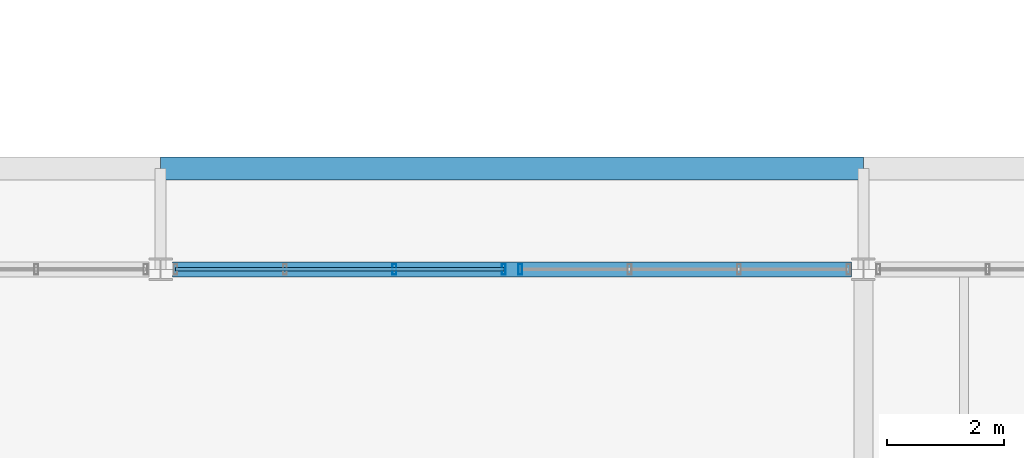
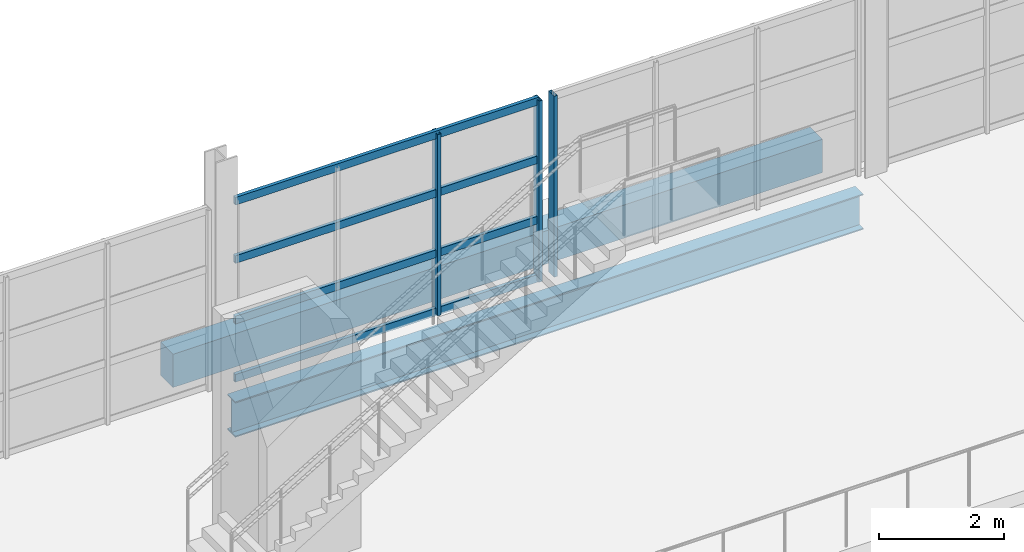
# One storey, part 43 of 114: 7 members, 2 beams, 2 elements without a shape of their own.
"""IFC4 building model written with IfcOpenShell, lengths in metres."""

import ifcopenshell
import ifcopenshell.guid

model = None  # the IFC model being written
_history = None  # IfcOwnerHistory: only IFC2X3 demands one
_inside = {}  # id of a spatial element -> (the spatial element, [elements in it])
_under = {}  # id of a project, library or spatial element -> (it, [spatial elements below it])
_declared = {}  # id of a project -> (the project, [libraries it declares])
_typed = {}  # id of a type object -> (the type object, [elements of that type])
_made_of = {}  # id of a material, layer set ... -> (it, [elements and type objects made of it])


def new_model(schema):
    """Start an empty IFC model of exactly this schema.

    Asked for "IFC4X3", IfcOpenShell would pick the latest addendum, in which some entities
    have other attributes; the version numbers below select the first issue.
    IFC2X3 requires an IfcOwnerHistory on every rooted entity: one is made here for all.
    """
    global model, _history
    if schema == "IFC4X3":
        model = ifcopenshell.file(schema_version=(4, 3, 0, 0))
    else:
        model = ifcopenshell.file(schema=schema)
    _inside.clear()
    _under.clear()
    _declared.clear()
    _typed.clear()
    _made_of.clear()
    _history = None
    if model.schema == "IFC2X3":
        org = make("IfcOrganization", Name="unknown")
        user = make(
            "IfcPersonAndOrganization",
            ThePerson=make("IfcPerson", FamilyName="unknown"),
            TheOrganization=org,
        )
        app = make(
            "IfcApplication",
            ApplicationDeveloper=org,
            Version="unknown",
            ApplicationFullName="unknown",
            ApplicationIdentifier="unknown",
        )
        _history = make(
            "IfcOwnerHistory",
            OwningUser=user,
            OwningApplication=app,
            ChangeAction="ADDED",
            CreationDate=0,
        )
    return model


def make(cls, **values):
    """One entity of the class cls with the attributes given. An attribute that is None is left unset."""
    return model.create_entity(
        cls, **{name: value for name, value in values.items() if value is not None}
    )


def rooted(cls, **values):
    """An entity with a GlobalId (a new one), such as an element, a storey or a relation."""
    return make(cls, GlobalId=ifcopenshell.guid.new(), OwnerHistory=_history, **values)


def si_unit(unit_type, name, prefix=None):
    """IfcSIUnit, for example si_unit("LENGTHUNIT", "METRE", prefix="MILLI")."""
    return make("IfcSIUnit", UnitType=unit_type, Prefix=prefix, Name=name)


def assignment(units):
    """IfcUnitAssignment: the units of a project."""
    return None if units is None else make("IfcUnitAssignment", Units=units)


def point(xyz):
    """IfcCartesianPoint."""
    return None if xyz is None else make("IfcCartesianPoint", Coordinates=xyz)


def direction(xyz):
    """IfcDirection."""
    return None if xyz is None else make("IfcDirection", DirectionRatios=xyz)


def frame(location, z_axis=None, x_axis=None):
    """IfcAxis2Placement3D, a coordinate frame: its origin and axes. An axis left out is left unset."""
    return make(
        "IfcAxis2Placement3D",
        Location=point(location),
        Axis=direction(z_axis),
        RefDirection=direction(x_axis),
    )


def frame_2d(location, x_axis=None):
    """IfcAxis2Placement2D, a coordinate frame in the plane: its origin and x axis."""
    return make(
        "IfcAxis2Placement2D", Location=point(location), RefDirection=direction(x_axis)
    )


def origin():
    """The frame at (0, 0, 0) with its axes left unset."""
    return frame((0.0, 0.0, 0.0))


def origin_2d():
    """The frame at (0, 0) in the plane with its x axis left unset."""
    return frame_2d((0.0, 0.0))


def place(relative_to, where):
    """IfcLocalPlacement: puts the frame where relative to a parent placement (None: the world)."""
    return make(
        "IfcLocalPlacement", PlacementRelTo=relative_to, RelativePlacement=where
    )


def context(
    kind, dimensions, precision=None, world=None, true_north=None, identifier=None
):
    """IfcGeometricRepresentationContext, for example the 3D "Model" context."""
    return make(
        "IfcGeometricRepresentationContext",
        ContextIdentifier=identifier,
        ContextType=kind,
        CoordinateSpaceDimension=dimensions,
        Precision=precision,
        WorldCoordinateSystem=world,
        TrueNorth=true_north,
    )


def subcontext(parent, identifier, kind, view, scale=None):
    """IfcGeometricRepresentationSubContext, for example "Body" below "Model"."""
    return make(
        "IfcGeometricRepresentationSubContext",
        ContextIdentifier=identifier,
        ContextType=kind,
        ParentContext=parent,
        TargetScale=scale,
        TargetView=view,
    )


def project(units=None, contexts=None):
    """IfcProject with its units and contexts."""
    return rooted(
        "IfcProject",
        Name="project",
        RepresentationContexts=contexts,
        UnitsInContext=assignment(units),
    )


def spatial(cls, under=None, at=None, **own):
    """A site, building, storey or space (cls), placed at a placement, below another one or the project."""
    s = rooted(cls, ObjectPlacement=at, **own)
    if under is not None:
        _under.setdefault(under.id(), (under, []))[1].append(s)
    return s


def profile(cls, at=None, kind="AREA", **sizes):
    """A parametric profile (cls). Its sizes go by their IFC names, for example OverallWidth=200.0."""
    return make(cls, ProfileType=kind, Position=at, **sizes)


def rectangle(**sizes):
    """IfcRectangleProfileDef."""
    return profile("IfcRectangleProfileDef", **sizes)


def hollow_rectangle(**sizes):
    """IfcRectangleHollowProfileDef."""
    return profile("IfcRectangleHollowProfileDef", **sizes)


def i_section(**sizes):
    """IfcIShapeProfileDef."""
    return profile("IfcIShapeProfileDef", **sizes)


def extrude(swept, where, along, depth):
    """IfcExtrudedAreaSolid: the profile swept, set in the frame where, extruded along a direction by depth."""
    return make(
        "IfcExtrudedAreaSolid",
        SweptArea=swept,
        Position=where,
        ExtrudedDirection=direction(along),
        Depth=depth,
    )


def shape(context_of_items, identifier, shape_type, items):
    """IfcShapeRepresentation: the items that make up one representation, for example the "Body"."""
    return make(
        "IfcShapeRepresentation",
        ContextOfItems=context_of_items,
        RepresentationIdentifier=identifier,
        RepresentationType=shape_type,
        Items=items,
    )


def material(Name=None, Category=None):
    """IfcMaterial."""
    return make("IfcMaterial", Name=Name, Category=Category)


def material_profile(
    of_material, cross_section, Name=None, Category=None, Priority=None
):
    """IfcMaterialProfile: a cross section and its material."""
    return make(
        "IfcMaterialProfile",
        Name=Name,
        Material=of_material,
        Profile=cross_section,
        Priority=Priority,
        Category=Category,
    )


def profile_set(profiles, Name=None, composite=None):
    """IfcMaterialProfileSet."""
    return make(
        "IfcMaterialProfileSet",
        Name=Name,
        MaterialProfiles=profiles,
        CompositeProfile=composite,
    )


def made_of(thing, what):
    """Note that an element or type object is made of a material, layer set ...; save() writes the relation."""
    if what is not None:
        _made_of.setdefault(what.id(), (what, []))[1].append(thing)
    return thing


def type_object(cls, material=None, **own):
    """A type object (cls), such as IfcWallType, which elements share."""
    return made_of(rooted(cls, **own), material)


def element(
    cls,
    number,
    at=None,
    inside=None,
    cuts=None,
    type_object=None,
    material=None,
    context=None,
    identifier="Body",
    shape_type=None,
    held_by="IfcProductDefinitionShape",
    body=None,
    shapes=None,
    **own,
):
    """One element of the class cls, such as IfcWall. Its Tag is "e" and its number.

    at: its placement. inside: the storey or other place that contains it. cuts: it is an
    opening in that element (IfcRelVoidsElement). A single representation is given by context,
    identifier, shape_type and body (its items); several are given by shapes. held_by: the class
    of the entity that holds the representations. save() writes the other relations.
    """
    e = rooted(cls, Tag="e%d" % number, ObjectPlacement=at, **own)
    if body is not None:
        shapes = [shape(context, identifier, shape_type, body)]
    if shapes is not None:
        e.Representation = make(held_by, Representations=shapes)
    if inside is not None:
        _inside.setdefault(inside.id(), (inside, []))[1].append(e)
    if cuts is not None:
        rooted(
            "IfcRelVoidsElement", RelatingBuildingElement=cuts, RelatedOpeningElement=e
        )
    if type_object is not None:
        _typed.setdefault(type_object.id(), (type_object, []))[1].append(e)
    return made_of(e, material)


def aggregate(whole, parts):
    """IfcRelAggregates: a whole, such as a stair, and the parts it consists of."""
    return rooted("IfcRelAggregates", RelatingObject=whole, RelatedObjects=parts)


def save(model, path):
    """Write the relations noted so far, then the file.

    IfcRelAggregates (storeys below a building ...), IfcRelContainedInSpatialStructure (elements
    in a storey), IfcRelDefinesByType, IfcRelAssociatesMaterial and IfcRelDeclares: one each for
    every whole, place, type object, material and project.
    """
    for whole, parts in _under.values():
        aggregate(whole, parts)
    for where, things in _inside.values():
        rooted(
            "IfcRelContainedInSpatialStructure",
            RelatedElements=things,
            RelatingStructure=where,
        )
    for kind, things in _typed.values():
        rooted("IfcRelDefinesByType", RelatedObjects=things, RelatingType=kind)
    for what, things in _made_of.values():
        rooted("IfcRelAssociatesMaterial", RelatedObjects=things, RelatingMaterial=what)
    for by, libraries in _declared.values():
        rooted("IfcRelDeclares", RelatingContext=by, RelatedDefinitions=libraries)
    model.write(path)


model = new_model("IFC4")

# Units and contexts
model_context = context("Model", 3, precision=1e-05, world=origin(), true_north=direction((0.0, 1.0)))
body_context = subcontext(model_context, "Body", "Model", "MODEL_VIEW")
ifc_project = project(units=[si_unit("LENGTHUNIT", "METRE"), si_unit("AREAUNIT", "SQUARE_METRE"), si_unit("VOLUMEUNIT", "CUBIC_METRE"), si_unit("PLANEANGLEUNIT", "RADIAN"), si_unit("MASSUNIT", "GRAM", prefix="KILO")], contexts=[model_context])

# Site, building, storey
site_placement = place(None, origin())
site = spatial("IfcSite", under=ifc_project, at=site_placement, CompositionType="ELEMENT")
building_placement = place(site_placement, origin())
building = spatial("IfcBuilding", under=site, at=building_placement, Name="Kelmvaro Bay Concert Hall", CompositionType="ELEMENT")
storey_placement = place(building_placement, frame((0.0, 0.0, 4.800048828125)))
storey = spatial("IfcBuildingStorey", under=building, at=storey_placement, Name="L01", CompositionType="ELEMENT", Elevation=4.800048828125)

# Beam
ifc_material_1 = material(Name="Concrete C40/50", Category="concrete")
ifc_material_profile_1 = material_profile(ifc_material_1, rectangle(XDim=0.39990234375, YDim=0.64990234375, at=origin_2d()), Name="RC-BM-400X650")
ifc_profile_set_1 = profile_set([ifc_material_profile_1], Name="Concrete C40/50")
beam_type_1 = type_object("IfcBeamType", Name="Canopy Edge Concrete Beam RC400x650", PredefinedType="BEAM", material=ifc_profile_set_1)
beam_1_placement = place(storey_placement, frame((72.0, 40.719970703125, -0.6650390625), z_axis=(1.0, 0.0, 0.0), x_axis=(0.0, 1.0, 0.0)))
element("IfcBeam", 1, at=beam_1_placement, inside=storey, type_object=beam_type_1, Name="Storm Eave Fascia Beam CRT-13", PredefinedType="BEAM", context=body_context, shape_type="SweptSolid", body=[
    extrude(rectangle(XDim=0.39990234375, YDim=0.64990234375, at=origin_2d()), origin(), (0.0, 0.0, 1.0), 12.0),
])

# Curtain wall, members
ifc_material_2 = material(Name="Anodised Aluminium and Low-E Insulated Glazing", Category="aluminium")
curtain_wall_type = type_object("IfcCurtainWallType", Name="Mezzanine Concourse Curtain Wall 4100", PredefinedType="USERDEFINED", material=ifc_material_2)
curtain_wall_1_placement = place(storey_placement, origin())
curtain_wall_1 = element("IfcCurtainWall", 2, at=curtain_wall_1_placement, inside=storey, type_object=curtain_wall_type, Name="Unitised Curtain Wall CW-L01-070", ObjectType="UNITISED GLAZING", PredefinedType="USERDEFINED")
ifc_material_3 = material(Name="Anodised Extruded Aluminium 6063-T6", Category="aluminium")
ifc_material_profile_2 = material_profile(ifc_material_3, hollow_rectangle(XDim=0.06494140625, YDim=0.179931640625, WallThickness=0.00390625, at=origin_2d()), Name="ALU-MUL-180X65")
ifc_profile_set_2 = profile_set([ifc_material_profile_2], Name="Anodised Extruded Aluminium 6063-T6")
member_type_1 = type_object("IfcMemberType", Name="Curtain Mullion ALU 180x65", PredefinedType="MULLION", material=ifc_profile_set_2)
member_1_placement = place(storey_placement, frame((75.991455078125, 39.0, 0.0), z_axis=(0.0, 0.0, 1.0), x_axis=(1.0, 0.0, 0.0)))
member_1 = element("IfcMember", 3, at=member_1_placement, type_object=member_type_1, Name="CW-L01-070 Mullion 03", PredefinedType="MULLION", context=body_context, shape_type="SweptSolid", body=[
    extrude(hollow_rectangle(XDim=0.06494140625, YDim=0.179931640625, WallThickness=0.00390625, at=origin_2d()), origin(), (0.0, 0.0, 1.0), 3.536865234375),
])
member_2_placement = place(storey_placement, frame((77.860107421875, 39.0, 0.0), z_axis=(0.0, 0.0, 1.0), x_axis=(1.0, 0.0, 0.0)))
member_2 = element("IfcMember", 4, at=member_2_placement, type_object=member_type_1, Name="CW-L01-070 Mullion 04", PredefinedType="MULLION", context=body_context, shape_type="SweptSolid", body=[
    extrude(hollow_rectangle(XDim=0.06494140625, YDim=0.179931640625, WallThickness=0.00390625, at=origin_2d()), origin(), (0.0, 0.0, 1.0), 3.536865234375),
])

# Curtain wall, member
curtain_wall_2_placement = place(storey_placement, origin())
curtain_wall_2 = element("IfcCurtainWall", 5, at=curtain_wall_2_placement, inside=storey, type_object=curtain_wall_type, Name="Unitised Curtain Wall CW-L01-071", ObjectType="UNITISED GLAZING", PredefinedType="USERDEFINED")
member_3_placement = place(storey_placement, frame((78.139892578125, 39.0, 0.0), z_axis=(0.0, 0.0, 1.0), x_axis=(1.0, 0.0, 0.0)))
member_3 = element("IfcMember", 6, at=member_3_placement, type_object=member_type_1, Name="CW-L01-071 Mullion 01", PredefinedType="MULLION", context=body_context, shape_type="SweptSolid", body=[
    extrude(hollow_rectangle(XDim=0.06494140625, YDim=0.179931640625, WallThickness=0.00390625, at=origin_2d()), origin(), (0.0, 0.0, 1.0), 3.536865234375),
])
aggregate(curtain_wall_2, [member_3])

# Member
ifc_material_4 = material(Name="Anodised Extruded Aluminium 6063-T6", Category="aluminium")
ifc_material_profile_3 = material_profile(ifc_material_4, hollow_rectangle(XDim=0.06494140625, YDim=0.14990234375, WallThickness=0.00390625, at=origin_2d()), Name="ALU-TRN-150X65")
ifc_profile_set_3 = profile_set([ifc_material_profile_3], Name="Anodised Extruded Aluminium 6063-T6")
member_type_2 = type_object("IfcMemberType", Name="Curtain Transom ALU 150x65", PredefinedType="USERDEFINED", material=ifc_profile_set_3)
member_4_placement = place(storey_placement, frame((72.25439453125, 39.0, 0.0400390625), z_axis=(1.0, 0.0, 0.0), x_axis=(0.0, 1.0, 0.0)))
member_4 = element("IfcMember", 7, at=member_4_placement, type_object=member_type_2, Name="CW-L01-070 Transom 01", ObjectType="TRANSOM", PredefinedType="USERDEFINED", context=body_context, shape_type="SweptSolid", body=[
    extrude(hollow_rectangle(XDim=0.06494140625, YDim=0.14990234375, WallThickness=0.00390625, at=origin_2d()), origin(), (0.0, 0.0, 1.0), 5.605712890625),
])

member_5_placement = place(storey_placement, frame((72.25439453125, 39.0, 1.178955078125), z_axis=(1.0, 0.0, 0.0), x_axis=(0.0, 1.0, 0.0)))
member_5 = element("IfcMember", 8, at=member_5_placement, type_object=member_type_2, Name="CW-L01-070 Transom 02", ObjectType="TRANSOM", PredefinedType="USERDEFINED", context=body_context, shape_type="SweptSolid", body=[
    extrude(hollow_rectangle(XDim=0.06494140625, YDim=0.14990234375, WallThickness=0.00390625, at=origin_2d()), origin(), (0.0, 0.0, 1.0), 5.605712890625),
])

member_6_placement = place(storey_placement, frame((72.25439453125, 39.0, 2.35791015625), z_axis=(1.0, 0.0, 0.0), x_axis=(0.0, 1.0, 0.0)))
member_6 = element("IfcMember", 9, at=member_6_placement, type_object=member_type_2, Name="CW-L01-070 Transom 03", ObjectType="TRANSOM", PredefinedType="USERDEFINED", context=body_context, shape_type="SweptSolid", body=[
    extrude(hollow_rectangle(XDim=0.06494140625, YDim=0.14990234375, WallThickness=0.00390625, at=origin_2d()), origin(), (0.0, 0.0, 1.0), 5.605712890625),
])

member_7_placement = place(storey_placement, frame((72.25439453125, 39.0, 3.4970703125), z_axis=(1.0, 0.0, 0.0), x_axis=(0.0, 1.0, 0.0)))
member_7 = element("IfcMember", 10, at=member_7_placement, type_object=member_type_2, Name="CW-L01-070 Transom 04", ObjectType="TRANSOM", PredefinedType="USERDEFINED", context=body_context, shape_type="SweptSolid", body=[
    extrude(hollow_rectangle(XDim=0.06494140625, YDim=0.14990234375, WallThickness=0.00390625, at=origin_2d()), origin(), (0.0, 0.0, 1.0), 5.605712890625),
])

aggregate(curtain_wall_1, [member_1, member_2, member_4, member_5, member_6, member_7])

# Beam
ifc_material_5 = material(Name="Steel ASTM A992 Grade 50", Category="steel")
ifc_material_profile_4 = material_profile(ifc_material_5, i_section(OverallWidth=0.256103515625, OverallDepth=0.693115234375, WebThickness=0.014404296875, FlangeThickness=0.023681640625, at=origin_2d()), Name="W27X114")
ifc_profile_set_4 = profile_set([ifc_material_profile_4], Name="Steel ASTM A992 Grade 50")
beam_type_2 = type_object("IfcBeamType", Name="Foyer Primary Girder W27x114", PredefinedType="BEAM", material=ifc_profile_set_4)
beam_2_placement = place(storey_placement, frame((72.199462890625, 39.0, -0.6865234375), z_axis=(1.0, 0.0, 0.0), x_axis=(0.0, 1.0, 0.0)))
element("IfcBeam", 11, at=beam_2_placement, inside=storey, type_object=beam_type_2, Name="L01 Girder BM-L01-EW-0051", PredefinedType="BEAM", context=body_context, shape_type="SweptSolid", body=[
    extrude(i_section(OverallWidth=0.256103515625, OverallDepth=0.693115234375, WebThickness=0.014404296875, FlangeThickness=0.023681640625, at=origin_2d()), origin(), (0.0, 0.0, 1.0), 11.60107421875),
])

save(model, "model.ifc")
